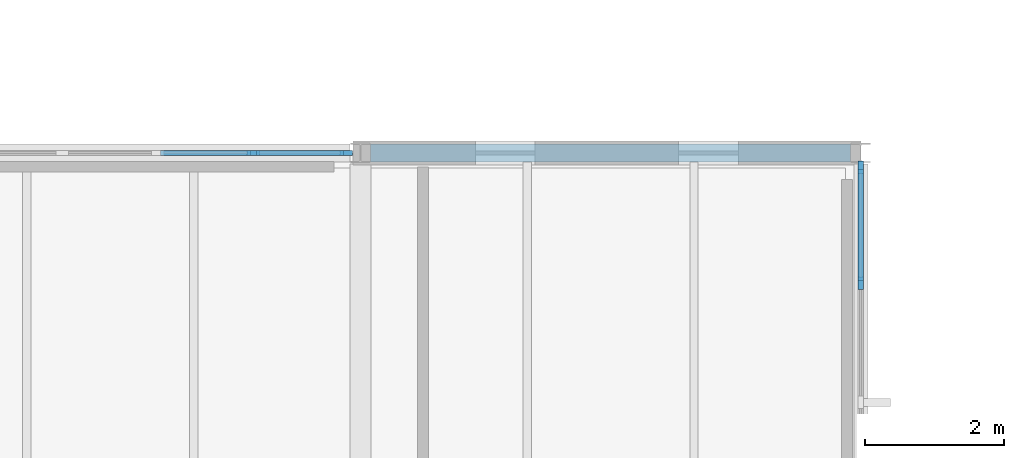
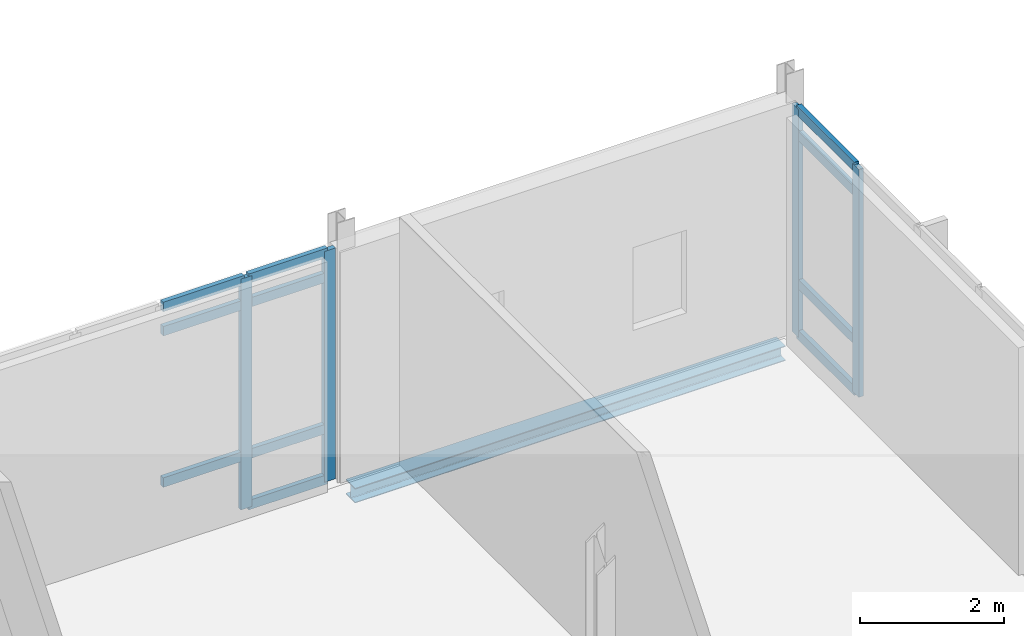
# One storey, part 14 of 43: 15 members, 1 beam, 2 elements without a shape of their own.
"""IFC4 building model written with IfcOpenShell, lengths in metres."""

from ifc_helpers import new_model, si_unit, direction, frame, origin, origin_2d, place, context, subcontext, project, spatial, rectangle, i_section, extrude, material, layer, layer_set, material_profile, profile_set, type_object, element, aggregate, save


model = new_model("IFC4")

# Units and contexts
model_context = context("Model", 3, precision=1e-05, world=origin(), true_north=direction((0.0, 1.0)))
body_context = subcontext(model_context, "Body", "Model", "MODEL_VIEW")
ifc_project = project(units=[si_unit("LENGTHUNIT", "METRE"), si_unit("AREAUNIT", "SQUARE_METRE"), si_unit("VOLUMEUNIT", "CUBIC_METRE"), si_unit("PLANEANGLEUNIT", "RADIAN"), si_unit("MASSUNIT", "GRAM", prefix="KILO")], contexts=[model_context])

# Site, building, storey
site_placement = place(None, origin())
site = spatial("IfcSite", under=ifc_project, at=site_placement, CompositionType="ELEMENT")
building_placement = place(site_placement, origin())
building = spatial("IfcBuilding", under=site, at=building_placement, Name="Zarrinpeak Specialist Clinic", CompositionType="ELEMENT")
storey_placement = place(building_placement, frame((0.0, 0.0, 18.39990234375)))
storey = spatial("IfcBuildingStorey", under=building, at=storey_placement, Name="L04", CompositionType="ELEMENT", Elevation=18.39990234375)

# Beam
ifc_material_1 = material(Name="Steel S355", Category="steel")
ifc_material_profile_1 = material_profile(ifc_material_1, i_section(OverallWidth=0.260009765625, OverallDepth=0.25, WebThickness=0.007568359375, FlangeThickness=0.012451171875, FilletRadius=0.02392578125, at=origin_2d()), Name="HEA 260")
ifc_profile_set_1 = profile_set([ifc_material_profile_1], Name="Steel S355")
beam_type = type_object("IfcBeamType", Name="BM-HEA260", PredefinedType="BEAM", material=ifc_profile_set_1)
beam_placement = place(storey_placement, frame((21.748046875, 50.39990234375, -0.324951171875), z_axis=(1.0, 0.0, 0.0), x_axis=(0.0, 1.0, 0.0)))
element("IfcBeam", 1, at=beam_placement, inside=storey, type_object=beam_type, Name="L04 Primary Floor Girder BM-L04-X1862", PredefinedType="BEAM", context=body_context, shape_type="SweptSolid", body=[
    extrude(i_section(OverallWidth=0.260009765625, OverallDepth=0.25, WebThickness=0.007568359375, FlangeThickness=0.012451171875, FilletRadius=0.02392578125, at=origin_2d()), origin(), (0.0, 0.0, 1.0), 6.904052734375),
])

# Curtain wall, members
ifc_material_2 = material(Name="Anodised Aluminium Alloy 6063-T6", Category="aluminium")
ifc_layer_1 = layer(ifc_material_2, 0.1650390625)
ifc_layer_set_1 = layer_set([ifc_layer_1], Name="Anodised Aluminium Alloy 6063-T6")
curtain_wall_type_1 = type_object("IfcCurtainWallType", Name="CW-CLINIC", PredefinedType="NOTDEFINED", material=ifc_layer_set_1)
curtain_wall_1_placement = place(storey_placement, origin())
curtain_wall_1 = element("IfcCurtainWall", 2, at=curtain_wall_1_placement, inside=storey, type_object=curtain_wall_type_1, Name="L04 V1 Unitised Curtain Wall CW-L04-V1-026", PredefinedType="NOTDEFINED")
ifc_material_profile_2 = material_profile(ifc_material_2, rectangle(XDim=0.074951171875, YDim=0.179931640625, at=origin_2d()), Name="ALU 75x180")
ifc_profile_set_2 = profile_set([ifc_material_profile_2], Name="Anodised Aluminium Alloy 6063-T6")
member_type_1 = type_object("IfcMemberType", Name="CWM-75", PredefinedType="MULLION", material=ifc_profile_set_2)
member_1_placement = place(storey_placement, frame((21.3974609375, 50.39990234375, 0.0), z_axis=(0.0, 0.0, 1.0), x_axis=(0.0, -1.0, 0.0)))
member_1 = element("IfcMember", 3, at=member_1_placement, type_object=member_type_1, Name="CW-03 mullion 1", PredefinedType="MULLION", context=body_context, shape_type="SweptSolid", body=[
    extrude(rectangle(XDim=0.074951171875, YDim=0.179931640625, at=origin_2d()), origin(), (0.0, 0.0, 1.0), 3.9150390625),
])
member_2_placement = place(storey_placement, frame((20.06103515625, 50.39990234375, 0.0), z_axis=(0.0, 0.0, 1.0), x_axis=(0.0, -1.0, 0.0)))
member_2 = element("IfcMember", 4, at=member_2_placement, type_object=member_type_1, Name="CW-03 mullion 2", PredefinedType="MULLION", context=body_context, shape_type="SweptSolid", body=[
    extrude(rectangle(XDim=0.074951171875, YDim=0.179931640625, at=origin_2d()), origin(), (0.0, 0.0, 1.0), 3.9150390625),
])

ifc_layer_2 = layer(ifc_material_2, 0.179931640625)
ifc_layer_set_2 = layer_set([ifc_layer_2], Name="Anodised Aluminium Alloy 6063-T6")
curtain_wall_type_2 = type_object("IfcCurtainWallType", Name="CW-COURT", PredefinedType="NOTDEFINED", material=ifc_layer_set_2)
curtain_wall_2_placement = place(storey_placement, origin())
curtain_wall_2 = element("IfcCurtainWall", 5, at=curtain_wall_2_placement, inside=storey, type_object=curtain_wall_type_2, Name="L04 V1 Unitised Curtain Wall CW-L04-V1-030", PredefinedType="NOTDEFINED")
member_3_placement = place(storey_placement, frame((28.800048828125, 48.5224609375, 0.0), z_axis=(0.0, 0.0, 1.0), x_axis=(-1.0, 0.0, 0.0)))
member_3 = element("IfcMember", 6, at=member_3_placement, type_object=member_type_1, Name="CW-01 mullion 4", PredefinedType="MULLION", context=body_context, shape_type="SweptSolid", body=[
    extrude(rectangle(XDim=0.074951171875, YDim=0.179931640625, at=origin_2d()), origin(), (0.0, 0.0, 1.0), 3.864990234375),
])
member_4_placement = place(storey_placement, frame((28.800048828125, 50.197509765625, 0.0), z_axis=(0.0, 0.0, 1.0), x_axis=(-1.0, 0.0, 0.0)))
member_4 = element("IfcMember", 7, at=member_4_placement, type_object=member_type_1, Name="CW-01 mullion 5", PredefinedType="MULLION", context=body_context, shape_type="SweptSolid", body=[
    extrude(rectangle(XDim=0.074951171875, YDim=0.179931640625, at=origin_2d()), origin(), (0.0, 0.0, 1.0), 3.864990234375),
])

# Member
ifc_material_profile_3 = material_profile(ifc_material_2, rectangle(XDim=0.074951171875, YDim=0.159912109375, at=origin_2d()), Name="ALU 75x160")
ifc_profile_set_3 = profile_set([ifc_material_profile_3], Name="Anodised Aluminium Alloy 6063-T6")
member_type_2 = type_object("IfcMemberType", Name="CWT-75", PredefinedType="USERDEFINED", material=ifc_profile_set_3)
member_5_placement = place(storey_placement, frame((21.360107421875, 50.39990234375, 0.03759765625), z_axis=(-1.0, 0.0, 0.0), x_axis=(0.0, -1.0, 0.0)))
member_5 = element("IfcMember", 8, at=member_5_placement, type_object=member_type_2, Name="CW-03 transom 1.1", ObjectType="TRANSOM", PredefinedType="USERDEFINED", context=body_context, shape_type="SweptSolid", body=[
    extrude(rectangle(XDim=0.074951171875, YDim=0.159912109375, at=origin_2d()), origin(), (0.0, 0.0, 1.0), 1.26171875),
])

member_6_placement = place(storey_placement, frame((21.360107421875, 50.39990234375, 0.900146484375), z_axis=(-1.0, 0.0, 0.0), x_axis=(0.0, -1.0, 0.0)))
member_6 = element("IfcMember", 9, at=member_6_placement, type_object=member_type_2, Name="CW-03 transom 1.2", ObjectType="TRANSOM", PredefinedType="USERDEFINED", context=body_context, shape_type="SweptSolid", body=[
    extrude(rectangle(XDim=0.074951171875, YDim=0.159912109375, at=origin_2d()), origin(), (0.0, 0.0, 1.0), 1.26171875),
])

member_7_placement = place(storey_placement, frame((21.360107421875, 50.39990234375, 3.465087890625), z_axis=(-1.0, 0.0, 0.0), x_axis=(0.0, -1.0, 0.0)))
member_7 = element("IfcMember", 10, at=member_7_placement, type_object=member_type_2, Name="CW-03 transom 1.3", ObjectType="TRANSOM", PredefinedType="USERDEFINED", context=body_context, shape_type="SweptSolid", body=[
    extrude(rectangle(XDim=0.074951171875, YDim=0.159912109375, at=origin_2d()), origin(), (0.0, 0.0, 1.0), 1.26171875),
])

member_8_placement = place(storey_placement, frame((21.360107421875, 50.39990234375, 3.877685546875), z_axis=(-1.0, 0.0, 0.0), x_axis=(0.0, -1.0, 0.0)))
member_8 = element("IfcMember", 11, at=member_8_placement, type_object=member_type_2, Name="CW-03 transom 1.4", ObjectType="TRANSOM", PredefinedType="USERDEFINED", context=body_context, shape_type="SweptSolid", body=[
    extrude(rectangle(XDim=0.074951171875, YDim=0.159912109375, at=origin_2d()), origin(), (0.0, 0.0, 1.0), 1.26171875),
])

member_9_placement = place(storey_placement, frame((20.0234375, 50.39990234375, 0.900146484375), z_axis=(-1.0, 0.0, 0.0), x_axis=(0.0, -1.0, 0.0)))
member_9 = element("IfcMember", 12, at=member_9_placement, type_object=member_type_2, Name="CW-03 transom 2.2", ObjectType="TRANSOM", PredefinedType="USERDEFINED", context=body_context, shape_type="SweptSolid", body=[
    extrude(rectangle(XDim=0.074951171875, YDim=0.159912109375, at=origin_2d()), origin(), (0.0, 0.0, 1.0), 1.298828125),
])

member_10_placement = place(storey_placement, frame((20.0234375, 50.39990234375, 3.465087890625), z_axis=(-1.0, 0.0, 0.0), x_axis=(0.0, -1.0, 0.0)))
member_10 = element("IfcMember", 13, at=member_10_placement, type_object=member_type_2, Name="CW-03 transom 2.3", ObjectType="TRANSOM", PredefinedType="USERDEFINED", context=body_context, shape_type="SweptSolid", body=[
    extrude(rectangle(XDim=0.074951171875, YDim=0.159912109375, at=origin_2d()), origin(), (0.0, 0.0, 1.0), 1.298828125),
])

member_11_placement = place(storey_placement, frame((20.0234375, 50.39990234375, 3.877685546875), z_axis=(-1.0, 0.0, 0.0), x_axis=(0.0, -1.0, 0.0)))
member_11 = element("IfcMember", 14, at=member_11_placement, type_object=member_type_2, Name="CW-03 transom 2.4", ObjectType="TRANSOM", PredefinedType="USERDEFINED", context=body_context, shape_type="SweptSolid", body=[
    extrude(rectangle(XDim=0.074951171875, YDim=0.159912109375, at=origin_2d()), origin(), (0.0, 0.0, 1.0), 1.298828125),
])

aggregate(curtain_wall_1, [member_1, member_2, member_5, member_6, member_7, member_8, member_9, member_10, member_11])

member_12_placement = place(storey_placement, frame((28.800048828125, 48.56005859375, 0.03759765625), z_axis=(0.0, 1.0, 0.0), x_axis=(-1.0, 0.0, 0.0)))
member_12 = element("IfcMember", 15, at=member_12_placement, type_object=member_type_2, Name="CW-01 transom 4.1", ObjectType="TRANSOM", PredefinedType="USERDEFINED", context=body_context, shape_type="SweptSolid", body=[
    extrude(rectangle(XDim=0.074951171875, YDim=0.159912109375, at=origin_2d()), origin(), (0.0, 0.0, 1.0), 1.599853515625),
])

member_13_placement = place(storey_placement, frame((28.800048828125, 48.56005859375, 0.900146484375), z_axis=(0.0, 1.0, 0.0), x_axis=(-1.0, 0.0, 0.0)))
member_13 = element("IfcMember", 16, at=member_13_placement, type_object=member_type_2, Name="CW-01 transom 4.2", ObjectType="TRANSOM", PredefinedType="USERDEFINED", context=body_context, shape_type="SweptSolid", body=[
    extrude(rectangle(XDim=0.074951171875, YDim=0.159912109375, at=origin_2d()), origin(), (0.0, 0.0, 1.0), 1.599853515625),
])

member_14_placement = place(storey_placement, frame((28.800048828125, 48.56005859375, 3.4150390625), z_axis=(0.0, 1.0, 0.0), x_axis=(-1.0, 0.0, 0.0)))
member_14 = element("IfcMember", 17, at=member_14_placement, type_object=member_type_2, Name="CW-01 transom 4.3", ObjectType="TRANSOM", PredefinedType="USERDEFINED", context=body_context, shape_type="SweptSolid", body=[
    extrude(rectangle(XDim=0.074951171875, YDim=0.159912109375, at=origin_2d()), origin(), (0.0, 0.0, 1.0), 1.599853515625),
])

member_15_placement = place(storey_placement, frame((28.800048828125, 48.56005859375, 3.82763671875), z_axis=(0.0, 1.0, 0.0), x_axis=(-1.0, 0.0, 0.0)))
member_15 = element("IfcMember", 18, at=member_15_placement, type_object=member_type_2, Name="CW-01 transom 4.4", ObjectType="TRANSOM", PredefinedType="USERDEFINED", context=body_context, shape_type="SweptSolid", body=[
    extrude(rectangle(XDim=0.074951171875, YDim=0.159912109375, at=origin_2d()), origin(), (0.0, 0.0, 1.0), 1.599853515625),
])

aggregate(curtain_wall_2, [member_3, member_4, member_12, member_13, member_14, member_15])

save(model, "model.ifc")
